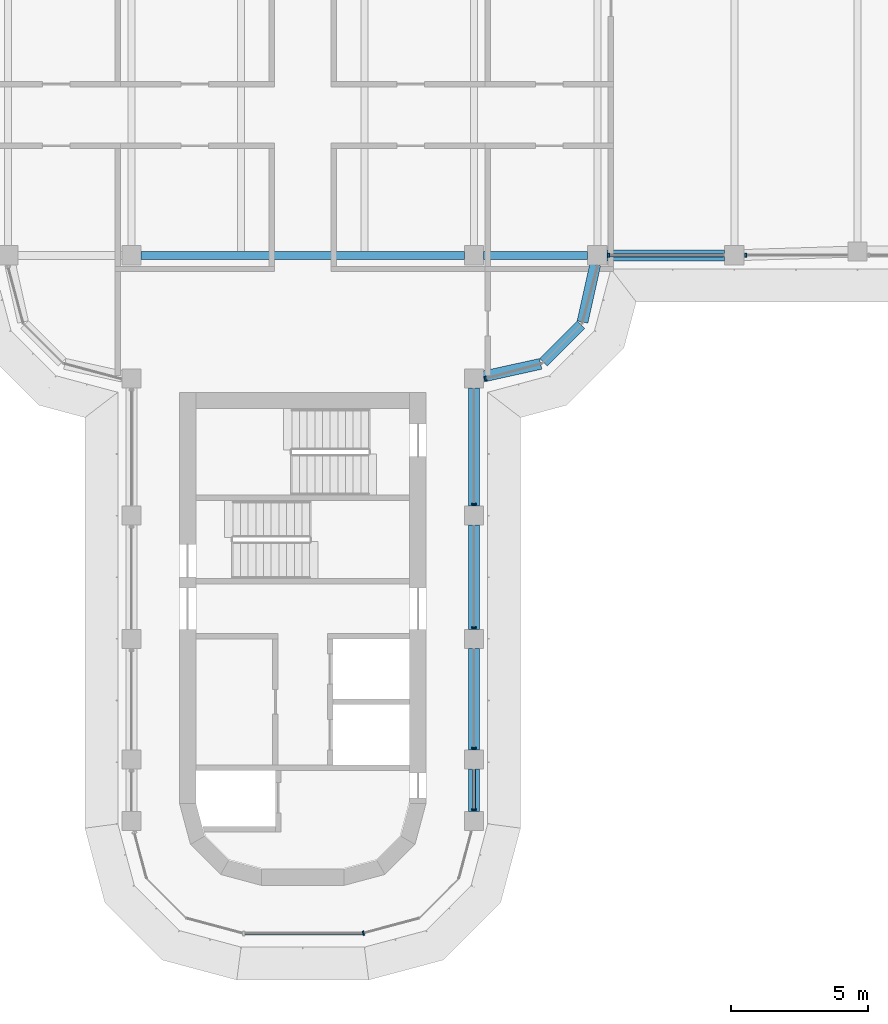
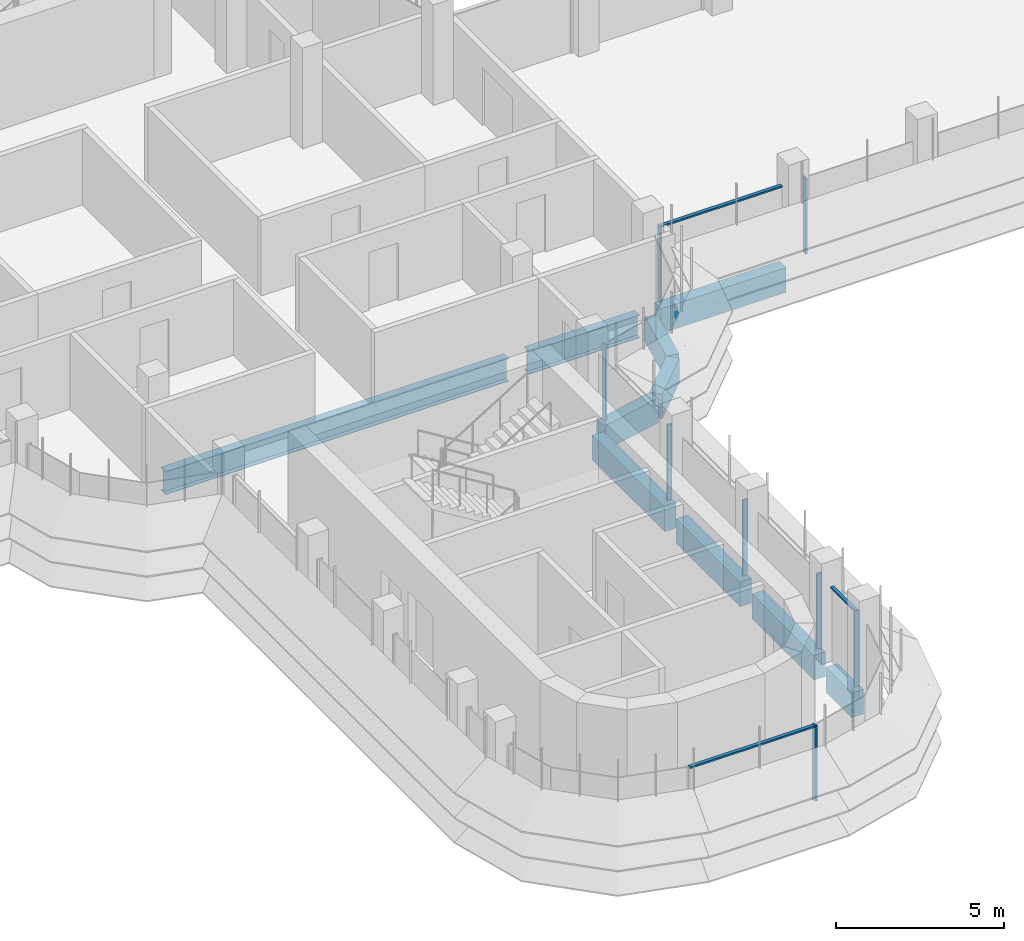
# One storey, part 4 of 19: 11 members, 10 beams, 5 elements without a shape of their own.
"""IFC4 building model written with IfcOpenShell, lengths in metres."""

from ifc_helpers import new_model, si_unit, direction, frame, origin, origin_2d, place, context, subcontext, project, spatial, polyline, rectangle, i_section, outline, extrude, source, transform, mapped, material, material_profile, profile_set, type_object, element, aggregate, save


model = new_model("IFC4")

# Units and contexts
model_context = context("Model", 3, precision=1e-05, world=origin(), true_north=direction((0.0, 1.0)))
body_context = subcontext(model_context, "Body", "Model", "MODEL_VIEW")
ifc_project = project(units=[si_unit("LENGTHUNIT", "METRE"), si_unit("AREAUNIT", "SQUARE_METRE"), si_unit("VOLUMEUNIT", "CUBIC_METRE"), si_unit("PLANEANGLEUNIT", "RADIAN"), si_unit("MASSUNIT", "GRAM", prefix="KILO")], contexts=[model_context])

# Site, building, storey
site_placement = place(None, origin())
site = spatial("IfcSite", under=ifc_project, at=site_placement, CompositionType="ELEMENT")
building_placement = place(site_placement, origin())
building = spatial("IfcBuilding", under=site, at=building_placement, Name="Zarbagh Exchange Tower", CompositionType="ELEMENT")
storey_placement = place(building_placement, frame((0.0, 0.0, 218.199951171875)))
storey = spatial("IfcBuildingStorey", under=building, at=storey_placement, Name="L53", CompositionType="ELEMENT", Elevation=218.199951171875)

# Beams
ifc_material_1 = material(Name="Steel ASTM A992 Gr 50", Category="steel")
ifc_material_profile_1 = material_profile(ifc_material_1, i_section(OverallWidth=0.2919921875, OverallDepth=0.835693359375, WebThickness=0.013916015625, FlangeThickness=0.018798828125, at=origin_2d()), Name="W33X118")
ifc_profile_set_1 = profile_set([ifc_material_profile_1], Name="Steel ASTM A992 Gr 50")
beam_type_1 = type_object("IfcBeamType", Name="Floor girder W33X118", PredefinedType="BEAM", material=ifc_profile_set_1)
beam_1_placement = place(storey_placement, frame((-5.89990234375, -6.25, -0.56787109375), z_axis=(1.0, 0.0, 0.0), x_axis=(0.0, 1.0, 0.0)))
element("IfcBeam", 1, at=beam_1_placement, inside=storey, type_object=beam_type_1, Name="Steel girder", PredefinedType="BEAM", context=body_context, shape_type="SweptSolid", body=[
    extrude(i_section(OverallWidth=0.2919921875, OverallDepth=0.835693359375, WebThickness=0.013916015625, FlangeThickness=0.018798828125, at=origin_2d()), origin(), (0.0, 0.0, 1.0), 11.7998046875),
])
beam_2_placement = place(storey_placement, frame((6.60009765625, -6.25, -0.56787109375), z_axis=(1.0, 0.0, 0.0), x_axis=(0.0, 1.0, 0.0)))
element("IfcBeam", 2, at=beam_2_placement, inside=storey, type_object=beam_type_1, Name="Steel girder", PredefinedType="BEAM", context=body_context, shape_type="SweptSolid", body=[
    extrude(i_section(OverallWidth=0.2919921875, OverallDepth=0.835693359375, WebThickness=0.013916015625, FlangeThickness=0.018798828125, at=origin_2d()), origin(), (0.0, 0.0, 1.0), 3.7998046875),
])
ifc_material_2 = material(Name="Concrete C50/60", Category="concrete")
ifc_material_profile_2 = material_profile(ifc_material_2, rectangle(XDim=0.39990234375, YDim=0.89990234375, at=origin_2d()), Name="RC spandrel beam 400 x 900 C50/60")
ifc_profile_set_2 = profile_set([ifc_material_profile_2], Name="Concrete C50/60")
beam_type_2 = type_object("IfcBeamType", Name="RC spandrel beam 400 x 900 C50/60", PredefinedType="SPANDREL", material=ifc_profile_set_2)
beam_3_placement = place(storey_placement, frame((15.39990234375, -6.25, -0.599853515625), z_axis=(-1.0, 0.0, 0.0), x_axis=(0.0, -1.0, 0.0)))
element("IfcBeam", 3, at=beam_3_placement, inside=storey, type_object=beam_type_2, Name="RC spandrel beam", PredefinedType="SPANDREL", context=body_context, shape_type="SweptSolid", body=[
    extrude(rectangle(XDim=0.39990234375, YDim=0.89990234375, at=origin_2d()), origin(), (0.0, 0.0, 1.0), 4.2998046875),
])
beam_4_placement = place(storey_placement, frame((10.67431640625, -6.591796875, -0.599853515625), z_axis=(-0.216013551096, -0.97639036545, 0.0), x_axis=(0.97639036545, -0.216013551096, 0.0)))
element("IfcBeam", 4, at=beam_4_placement, inside=storey, type_object=beam_type_2, Name="RC spandrel beam", PredefinedType="SPANDREL", context=body_context, shape_type="SweptSolid", body=[
    extrude(rectangle(XDim=0.39990234375, YDim=0.89990234375, at=origin_2d()), origin(), (0.0, 0.0, 1.0), 2.142822265625),
])
beam_5_placement = place(storey_placement, frame((10.15771484375, -8.782470703125, -0.599853515625), z_axis=(-0.707106781187, -0.707106781187, 0.0), x_axis=(0.707106781187, -0.707106781187, 0.0)))
element("IfcBeam", 5, at=beam_5_placement, inside=storey, type_object=beam_type_2, Name="RC spandrel beam", PredefinedType="SPANDREL", context=body_context, shape_type="SweptSolid", body=[
    extrude(rectangle(XDim=0.39990234375, YDim=0.89990234375, at=origin_2d()), origin(), (0.0, 0.0, 1.0), 1.94482421875),
])
beam_6_placement = place(storey_placement, frame((8.68408203125, -10.21142578125, -0.599853515625), z_axis=(-0.97639036545, -0.216013551096, 0.0), x_axis=(0.216013551096, -0.97639036545, 0.0)))
element("IfcBeam", 6, at=beam_6_placement, inside=storey, type_object=beam_type_2, Name="RC spandrel beam", PredefinedType="SPANDREL", context=body_context, shape_type="SweptSolid", body=[
    extrude(rectangle(XDim=0.39990234375, YDim=0.89990234375, at=origin_2d()), origin(), (0.0, 0.0, 1.0), 2.142822265625),
])
beam_7_placement = place(storey_placement, frame((6.25, -11.10009765625, -0.599853515625), z_axis=(0.0, -1.0, 0.0), x_axis=(1.0, 0.0, 0.0)))
element("IfcBeam", 7, at=beam_7_placement, inside=storey, type_object=beam_type_2, Name="RC spandrel beam", PredefinedType="SPANDREL", context=body_context, shape_type="SweptSolid", body=[
    extrude(rectangle(XDim=0.39990234375, YDim=0.89990234375, at=origin_2d()), origin(), (0.0, 0.0, 1.0), 4.2998046875),
])
beam_8_placement = place(storey_placement, frame((6.25, -16.10009765625, -0.599853515625), z_axis=(0.0, -1.0, 0.0), x_axis=(1.0, 0.0, 0.0)))
element("IfcBeam", 8, at=beam_8_placement, inside=storey, type_object=beam_type_2, Name="RC spandrel beam", PredefinedType="SPANDREL", context=body_context, shape_type="SweptSolid", body=[
    extrude(rectangle(XDim=0.39990234375, YDim=0.89990234375, at=origin_2d()), origin(), (0.0, 0.0, 1.0), 3.7998046875),
])
beam_9_placement = place(storey_placement, frame((6.25, -20.60009765625, -0.599853515625), z_axis=(0.0, -1.0, 0.0), x_axis=(1.0, 0.0, 0.0)))
element("IfcBeam", 9, at=beam_9_placement, inside=storey, type_object=beam_type_2, Name="RC spandrel beam", PredefinedType="SPANDREL", context=body_context, shape_type="SweptSolid", body=[
    extrude(rectangle(XDim=0.39990234375, YDim=0.89990234375, at=origin_2d()), origin(), (0.0, 0.0, 1.0), 3.699951171875),
])
beam_10_placement = place(storey_placement, frame((6.25, -25.0, -0.599853515625), z_axis=(0.0, -1.0, 0.0), x_axis=(1.0, 0.0, 0.0)))
element("IfcBeam", 10, at=beam_10_placement, inside=storey, type_object=beam_type_2, Name="RC spandrel beam", PredefinedType="SPANDREL", context=body_context, shape_type="SweptSolid", body=[
    extrude(rectangle(XDim=0.39990234375, YDim=0.89990234375, at=origin_2d()), origin(), (0.0, 0.0, 1.0), 1.550048828125),
])

# Curtain wall, member
ifc_material_3 = material(Name="Anodised aluminium frame and glazing", Category="aluminium")
curtain_wall_type = type_object("IfcCurtainWallType", Name="CWB Ribbon glazing, upper zones", PredefinedType="NOTDEFINED", material=ifc_material_3)
curtain_wall_1_placement = place(storey_placement, origin())
curtain_wall_1 = element("IfcCurtainWall", 11, at=curtain_wall_1_placement, inside=storey, type_object=curtain_wall_type, Name="CWB49 curtain wall", PredefinedType="NOTDEFINED")
ifc_material_4 = material(Name="Anodised aluminium frame", Category="aluminium")
member_type_1 = type_object("IfcMemberType", Name="MUB Mullion, anodised aluminium frame", PredefinedType="MULLION", material=ifc_material_4)
shared_shape_1 = source(origin(), body_context, "Body", "SweptSolid", [
    extrude(outline(polyline([(0.0, -0.080078125), (0.06005859375, -0.080078125), (0.06005859375, 0.080078125), (0.0, 0.080078125), (0.0, -0.080078125)])), origin(), (0.0, 0.0, 1.0), 2.75),
])
placement = place(storey_placement, origin())
member_1 = element("IfcMember", 12, at=placement, type_object=member_type_1, Name="CWB49 mullion 1.1", PredefinedType="MULLION", context=body_context, shape_type="MappedRepresentation", body=[
    mapped(shared_shape_1, transform((2.18408203125, -31.0, 0.0), x_axis=(0.965924289636, 0.258824779902, 0.0), y_axis=(-0.258824779902, 0.965924289636, 0.0), z_axis=(0.0, 0.0, 1.0))),
])
aggregate(curtain_wall_1, [member_1])

# Curtain wall, members
curtain_wall_2_placement = place(storey_placement, origin())
curtain_wall_2 = element("IfcCurtainWall", 13, at=curtain_wall_2_placement, inside=storey, type_object=curtain_wall_type, Name="CWB52 curtain wall", PredefinedType="NOTDEFINED")
member_2 = element("IfcMember", 14, at=placement, type_object=member_type_1, Name="CWB52 mullion 1.1", PredefinedType="MULLION", context=body_context, shape_type="MappedRepresentation", body=[
    mapped(shared_shape_1, transform((6.25, -26.510009765625, 0.0), x_axis=(0.0, 1.0, 0.0), y_axis=(-1.0, 0.0, 0.0), z_axis=(0.0, 0.0, 1.0))),
])
member_3 = element("IfcMember", 15, at=placement, type_object=member_type_1, Name="CWB52 mullion 2.1", PredefinedType="MULLION", context=body_context, shape_type="MappedRepresentation", body=[
    mapped(shared_shape_1, transform((6.25, -24.260009765625, 0.0), x_axis=(0.0, 1.0, 0.0), y_axis=(-1.0, 0.0, 0.0), z_axis=(0.0, 0.0, 1.0))),
])
member_4 = element("IfcMember", 16, at=placement, type_object=member_type_1, Name="CWB52 mullion 3.1", PredefinedType="MULLION", context=body_context, shape_type="MappedRepresentation", body=[
    mapped(shared_shape_1, transform((6.25, -19.85986328125, 0.0), x_axis=(0.0, 1.0, 0.0), y_axis=(-1.0, 0.0, 0.0), z_axis=(0.0, 0.0, 1.0))),
])
member_5 = element("IfcMember", 17, at=placement, type_object=member_type_1, Name="CWB52 mullion 4.1", PredefinedType="MULLION", context=body_context, shape_type="MappedRepresentation", body=[
    mapped(shared_shape_1, transform((6.25, -15.35986328125, 0.0), x_axis=(0.0, 1.0, 0.0), y_axis=(-1.0, 0.0, 0.0), z_axis=(0.0, 0.0, 1.0))),
])

# Curtain wall, member
curtain_wall_3_placement = place(storey_placement, origin())
curtain_wall_3 = element("IfcCurtainWall", 18, at=curtain_wall_3_placement, inside=storey, type_object=curtain_wall_type, Name="CWB05 curtain wall", PredefinedType="NOTDEFINED")
member_6 = element("IfcMember", 19, at=placement, type_object=member_type_1, Name="CWB05 mullion 1.1", PredefinedType="MULLION", context=body_context, shape_type="MappedRepresentation", body=[
    mapped(shared_shape_1, transform((6.64013671875, -10.76171875, 0.0), x_axis=(0.965924289636, 0.258824779902, 0.0), y_axis=(-0.258824779902, 0.965924289636, 0.0), z_axis=(0.0, 0.0, 1.0))),
])
aggregate(curtain_wall_3, [member_6])

# Curtain wall, members
curtain_wall_4_placement = place(storey_placement, origin())
curtain_wall_4 = element("IfcCurtainWall", 20, at=curtain_wall_4_placement, inside=storey, type_object=curtain_wall_type, Name="CWB08 curtain wall", PredefinedType="NOTDEFINED")
member_7 = element("IfcMember", 21, at=placement, type_object=member_type_1, Name="CWB08 mullion 1.1", PredefinedType="MULLION", context=body_context, shape_type="MappedRepresentation", body=[
    mapped(shared_shape_1, transform((11.14013671875, -6.25, 0.0), x_axis=(1.0, 0.0, 0.0), y_axis=(0.0, 1.0, 0.0), z_axis=(0.0, 0.0, 1.0))),
])
member_8 = element("IfcMember", 22, at=placement, type_object=member_type_1, Name="CWB08 mullion 2.1", PredefinedType="MULLION", context=body_context, shape_type="MappedRepresentation", body=[
    mapped(shared_shape_1, transform((16.14013671875, -6.25, 0.0), x_axis=(1.0, 0.0, 0.0), y_axis=(0.0, 1.0, 0.0), z_axis=(0.0, 0.0, 1.0))),
])

# Curtain wall, member
curtain_wall_5_placement = place(storey_placement, origin())
curtain_wall_5 = element("IfcCurtainWall", 23, at=curtain_wall_5_placement, inside=storey, type_object=curtain_wall_type, Name="CWB57 curtain wall", PredefinedType="NOTDEFINED")
member_type_2 = type_object("IfcMemberType", Name="TRB Transom, anodised aluminium frame", PredefinedType="USERDEFINED", material=ifc_material_4)
shared_shape_2 = source(origin(), body_context, "Body", "SweptSolid", [
    extrude(outline(polyline([(-0.06005859375, -0.06005859375), (0.0, -0.06005859375), (0.0, 0.06005859375), (-0.06005859375, 0.06005859375), (-0.06005859375, -0.06005859375)])), origin(), (0.0, 0.0, 1.0), 4.308349609375),
])
member_9 = element("IfcMember", 24, at=placement, type_object=member_type_2, Name="CWB57 transom 1.1", ObjectType="TRANSOM", PredefinedType="USERDEFINED", context=body_context, shape_type="MappedRepresentation", body=[
    mapped(shared_shape_2, transform((-2.124267578125, -31.0, 2.75), x_axis=(0.0, 0.0, 1.0), y_axis=(0.0, -1.0, 0.0), z_axis=(1.0, 0.0, 0.0))),
])
aggregate(curtain_wall_5, [member_9])

# Member
shared_shape_3 = source(origin(), body_context, "Body", "SweptSolid", [
    extrude(outline(polyline([(-0.06005859375, -0.06005859375), (0.0, -0.06005859375), (0.0, 0.06005859375), (-0.06005859375, 0.06005859375), (-0.06005859375, -0.06005859375)])), origin(), (0.0, 0.0, 1.0), 1.409912109375),
])
member_10 = element("IfcMember", 25, at=placement, type_object=member_type_2, Name="CWB52 transom 1.1", ObjectType="TRANSOM", PredefinedType="USERDEFINED", context=body_context, shape_type="MappedRepresentation", body=[
    mapped(shared_shape_3, transform((6.25, -26.449951171875, 2.75), x_axis=(0.0, 0.0, 1.0), y_axis=(1.0, 0.0, 0.0), z_axis=(0.0, 1.0, 0.0))),
])

aggregate(curtain_wall_2, [member_2, member_10, member_3, member_4, member_5])

shared_shape_4 = source(origin(), body_context, "Body", "SweptSolid", [
    extrude(outline(polyline([(-0.06005859375, -0.06005859375), (0.0, -0.06005859375), (0.0, 0.06005859375), (-0.06005859375, 0.06005859375), (-0.06005859375, -0.06005859375)])), origin(), (0.0, 0.0, 1.0), 4.159912109375),
])
member_11 = element("IfcMember", 26, at=placement, type_object=member_type_2, Name="CWB08 transom 1.1", ObjectType="TRANSOM", PredefinedType="USERDEFINED", context=body_context, shape_type="MappedRepresentation", body=[
    mapped(shared_shape_4, transform((11.199951171875, -6.25, 2.75), x_axis=(0.0, 0.0, 1.0), y_axis=(0.0, -1.0, 0.0), z_axis=(1.0, 0.0, 0.0))),
])

aggregate(curtain_wall_4, [member_7, member_11, member_8])

save(model, "model.ifc")
